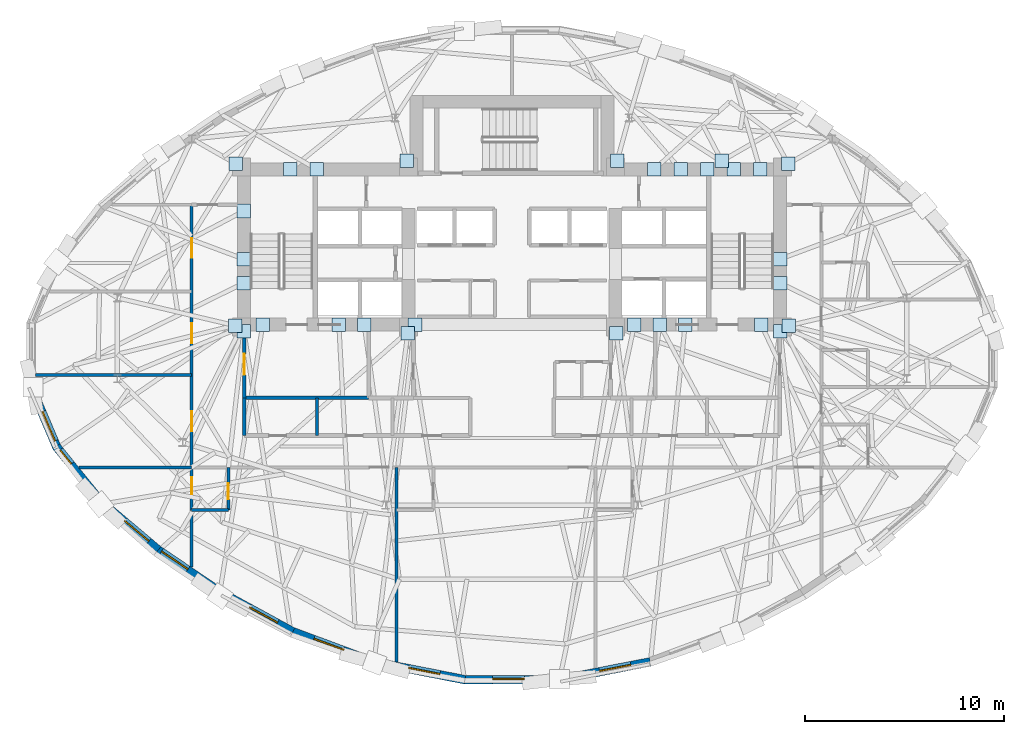
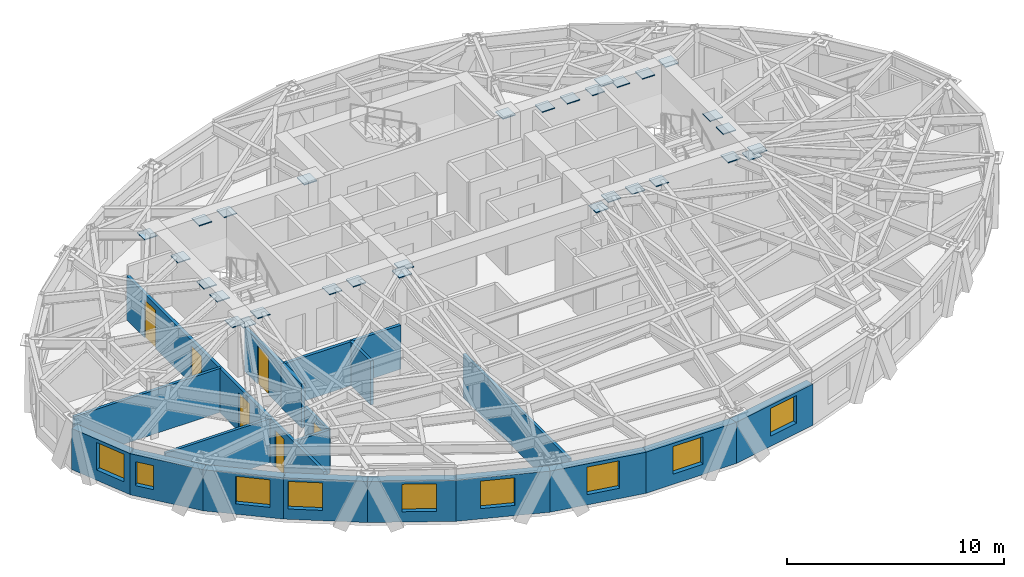
# One storey, part 5 of 14: 31 plates, 19 walls, 9 windows, 6 doors, 15 openings.
"""IFC4 building model written with IfcOpenShell, lengths in metres."""

import ifcopenshell
import ifcopenshell.guid

model = None  # the IFC model being written
_history = None  # IfcOwnerHistory: only IFC2X3 demands one
_inside = {}  # id of a spatial element -> (the spatial element, [elements in it])
_under = {}  # id of a project, library or spatial element -> (it, [spatial elements below it])
_declared = {}  # id of a project -> (the project, [libraries it declares])
_typed = {}  # id of a type object -> (the type object, [elements of that type])
_made_of = {}  # id of a material, layer set ... -> (it, [elements and type objects made of it])


def new_model(schema):
    """Start an empty IFC model of exactly this schema.

    Asked for "IFC4X3", IfcOpenShell would pick the latest addendum, in which some entities
    have other attributes; the version numbers below select the first issue.
    IFC2X3 requires an IfcOwnerHistory on every rooted entity: one is made here for all.
    """
    global model, _history
    if schema == "IFC4X3":
        model = ifcopenshell.file(schema_version=(4, 3, 0, 0))
    else:
        model = ifcopenshell.file(schema=schema)
    _inside.clear()
    _under.clear()
    _declared.clear()
    _typed.clear()
    _made_of.clear()
    _history = None
    if model.schema == "IFC2X3":
        org = make("IfcOrganization", Name="unknown")
        user = make(
            "IfcPersonAndOrganization",
            ThePerson=make("IfcPerson", FamilyName="unknown"),
            TheOrganization=org,
        )
        app = make(
            "IfcApplication",
            ApplicationDeveloper=org,
            Version="unknown",
            ApplicationFullName="unknown",
            ApplicationIdentifier="unknown",
        )
        _history = make(
            "IfcOwnerHistory",
            OwningUser=user,
            OwningApplication=app,
            ChangeAction="ADDED",
            CreationDate=0,
        )
    return model


def make(cls, **values):
    """One entity of the class cls with the attributes given. An attribute that is None is left unset."""
    return model.create_entity(
        cls, **{name: value for name, value in values.items() if value is not None}
    )


def rooted(cls, **values):
    """An entity with a GlobalId (a new one), such as an element, a storey or a relation."""
    return make(cls, GlobalId=ifcopenshell.guid.new(), OwnerHistory=_history, **values)


def si_unit(unit_type, name, prefix=None):
    """IfcSIUnit, for example si_unit("LENGTHUNIT", "METRE", prefix="MILLI")."""
    return make("IfcSIUnit", UnitType=unit_type, Prefix=prefix, Name=name)


def assignment(units):
    """IfcUnitAssignment: the units of a project."""
    return None if units is None else make("IfcUnitAssignment", Units=units)


def point(xyz):
    """IfcCartesianPoint."""
    return None if xyz is None else make("IfcCartesianPoint", Coordinates=xyz)


def direction(xyz):
    """IfcDirection."""
    return None if xyz is None else make("IfcDirection", DirectionRatios=xyz)


def frame(location, z_axis=None, x_axis=None):
    """IfcAxis2Placement3D, a coordinate frame: its origin and axes. An axis left out is left unset."""
    return make(
        "IfcAxis2Placement3D",
        Location=point(location),
        Axis=direction(z_axis),
        RefDirection=direction(x_axis),
    )


def frame_2d(location, x_axis=None):
    """IfcAxis2Placement2D, a coordinate frame in the plane: its origin and x axis."""
    return make(
        "IfcAxis2Placement2D", Location=point(location), RefDirection=direction(x_axis)
    )


def origin():
    """The frame at (0, 0, 0) with its axes left unset."""
    return frame((0.0, 0.0, 0.0))


def origin_2d():
    """The frame at (0, 0) in the plane with its x axis left unset."""
    return frame_2d((0.0, 0.0))


def place(relative_to, where):
    """IfcLocalPlacement: puts the frame where relative to a parent placement (None: the world)."""
    return make(
        "IfcLocalPlacement", PlacementRelTo=relative_to, RelativePlacement=where
    )


def context(
    kind, dimensions, precision=None, world=None, true_north=None, identifier=None
):
    """IfcGeometricRepresentationContext, for example the 3D "Model" context."""
    return make(
        "IfcGeometricRepresentationContext",
        ContextIdentifier=identifier,
        ContextType=kind,
        CoordinateSpaceDimension=dimensions,
        Precision=precision,
        WorldCoordinateSystem=world,
        TrueNorth=true_north,
    )


def subcontext(parent, identifier, kind, view, scale=None):
    """IfcGeometricRepresentationSubContext, for example "Body" below "Model"."""
    return make(
        "IfcGeometricRepresentationSubContext",
        ContextIdentifier=identifier,
        ContextType=kind,
        ParentContext=parent,
        TargetScale=scale,
        TargetView=view,
    )


def project(units=None, contexts=None):
    """IfcProject with its units and contexts."""
    return rooted(
        "IfcProject",
        Name="project",
        RepresentationContexts=contexts,
        UnitsInContext=assignment(units),
    )


def spatial(cls, under=None, at=None, **own):
    """A site, building, storey or space (cls), placed at a placement, below another one or the project."""
    s = rooted(cls, ObjectPlacement=at, **own)
    if under is not None:
        _under.setdefault(under.id(), (under, []))[1].append(s)
    return s


def profile(cls, at=None, kind="AREA", **sizes):
    """A parametric profile (cls). Its sizes go by their IFC names, for example OverallWidth=200.0."""
    return make(cls, ProfileType=kind, Position=at, **sizes)


def rectangle(**sizes):
    """IfcRectangleProfileDef."""
    return profile("IfcRectangleProfileDef", **sizes)


def extrude(swept, where, along, depth):
    """IfcExtrudedAreaSolid: the profile swept, set in the frame where, extruded along a direction by depth."""
    return make(
        "IfcExtrudedAreaSolid",
        SweptArea=swept,
        Position=where,
        ExtrudedDirection=direction(along),
        Depth=depth,
    )


def shape(context_of_items, identifier, shape_type, items):
    """IfcShapeRepresentation: the items that make up one representation, for example the "Body"."""
    return make(
        "IfcShapeRepresentation",
        ContextOfItems=context_of_items,
        RepresentationIdentifier=identifier,
        RepresentationType=shape_type,
        Items=items,
    )


def material(Name=None, Category=None):
    """IfcMaterial."""
    return make("IfcMaterial", Name=Name, Category=Category)


def layer(
    of_material, thickness, ventilated=None, Name=None, Category=None, Priority=None
):
    """IfcMaterialLayer: one layer of a wall or slab, of a material (None: an air gap)."""
    return make(
        "IfcMaterialLayer",
        Material=of_material,
        LayerThickness=thickness,
        IsVentilated=ventilated,
        Name=Name,
        Category=Category,
        Priority=Priority,
    )


def layer_set(layers, Name=None):
    """IfcMaterialLayerSet."""
    return make("IfcMaterialLayerSet", MaterialLayers=layers, LayerSetName=Name)


def made_of(thing, what):
    """Note that an element or type object is made of a material, layer set ...; save() writes the relation."""
    if what is not None:
        _made_of.setdefault(what.id(), (what, []))[1].append(thing)
    return thing


def type_object(cls, material=None, **own):
    """A type object (cls), such as IfcWallType, which elements share."""
    return made_of(rooted(cls, **own), material)


def element(
    cls,
    number,
    at=None,
    inside=None,
    cuts=None,
    type_object=None,
    material=None,
    context=None,
    identifier="Body",
    shape_type=None,
    held_by="IfcProductDefinitionShape",
    body=None,
    shapes=None,
    **own,
):
    """One element of the class cls, such as IfcWall. Its Tag is "e" and its number.

    at: its placement. inside: the storey or other place that contains it. cuts: it is an
    opening in that element (IfcRelVoidsElement). A single representation is given by context,
    identifier, shape_type and body (its items); several are given by shapes. held_by: the class
    of the entity that holds the representations. save() writes the other relations.
    """
    e = rooted(cls, Tag="e%d" % number, ObjectPlacement=at, **own)
    if body is not None:
        shapes = [shape(context, identifier, shape_type, body)]
    if shapes is not None:
        e.Representation = make(held_by, Representations=shapes)
    if inside is not None:
        _inside.setdefault(inside.id(), (inside, []))[1].append(e)
    if cuts is not None:
        rooted(
            "IfcRelVoidsElement", RelatingBuildingElement=cuts, RelatedOpeningElement=e
        )
    if type_object is not None:
        _typed.setdefault(type_object.id(), (type_object, []))[1].append(e)
    return made_of(e, material)


def fill(opening, filler):
    """IfcRelFillsElement: the door or window that sits in an opening."""
    return rooted(
        "IfcRelFillsElement",
        RelatingOpeningElement=opening,
        RelatedBuildingElement=filler,
    )


def aggregate(whole, parts):
    """IfcRelAggregates: a whole, such as a stair, and the parts it consists of."""
    return rooted("IfcRelAggregates", RelatingObject=whole, RelatedObjects=parts)


def save(model, path):
    """Write the relations noted so far, then the file.

    IfcRelAggregates (storeys below a building ...), IfcRelContainedInSpatialStructure (elements
    in a storey), IfcRelDefinesByType, IfcRelAssociatesMaterial and IfcRelDeclares: one each for
    every whole, place, type object, material and project.
    """
    for whole, parts in _under.values():
        aggregate(whole, parts)
    for where, things in _inside.values():
        rooted(
            "IfcRelContainedInSpatialStructure",
            RelatedElements=things,
            RelatingStructure=where,
        )
    for kind, things in _typed.values():
        rooted("IfcRelDefinesByType", RelatedObjects=things, RelatingType=kind)
    for what, things in _made_of.values():
        rooted("IfcRelAssociatesMaterial", RelatedObjects=things, RelatingMaterial=what)
    for by, libraries in _declared.values():
        rooted("IfcRelDeclares", RelatingContext=by, RelatedDefinitions=libraries)
    model.write(path)


model = new_model("IFC4")

# Units and contexts
model_context = context("Model", 3, precision=1e-05, world=origin(), true_north=direction((0.0, 1.0)))
body_context = subcontext(model_context, "Body", "Model", "MODEL_VIEW")
ifc_project = project(units=[si_unit("LENGTHUNIT", "METRE"), si_unit("AREAUNIT", "SQUARE_METRE"), si_unit("VOLUMEUNIT", "CUBIC_METRE"), si_unit("PLANEANGLEUNIT", "RADIAN"), si_unit("MASSUNIT", "GRAM", prefix="KILO")], contexts=[model_context])

# Site, building, storey
site_placement = place(None, origin())
site = spatial("IfcSite", under=ifc_project, at=site_placement, CompositionType="ELEMENT")
building_placement = place(site_placement, origin())
building = spatial("IfcBuilding", under=site, at=building_placement, Name="Keldmark Tower", CompositionType="ELEMENT")
storey_placement = place(building_placement, frame((0.0, 0.0, 191.800048828125)))
storey = spatial("IfcBuildingStorey", under=building, at=storey_placement, Name="L53", CompositionType="ELEMENT", Elevation=191.800048828125)

# Plates
ifc_material_1 = material(Name="Steel ASTM A572 Grade 50", Category="steel")
ifc_layer_1 = layer(ifc_material_1, 0.06005859375)
ifc_layer_set_1 = layer_set([ifc_layer_1], Name="Steel ASTM A572 Grade 50")
plate_type = type_object("IfcPlateType", Name="Belt Truss Kink Node Assembly KN01 60 mm", PredefinedType="USERDEFINED", material=ifc_layer_set_1)
for number, where, z_axis, x_axis, name in (
    (1, (13.91162109375, 1.473388671875, 2.72412109375), (0.0, 0.0, 1.0), (1.0, 0.0, 0.0), "L53 Core Wall Cast-In Embed Plate 1556"),
    (2, (13.878173828125, 9.608154296875, 2.72412109375), (0.0, 0.0, 1.0), (1.0, 0.0, 0.0), "L53 Core Wall Cast-In Embed Plate 1557"),
    (3, (5.28515625, 9.758544921875, 2.72412109375), (0.0, 0.0, 1.0), (1.0, 0.0, 0.0), "L53 Core Wall Cast-In Embed Plate 1558"),
    (4, (-5.28515625, 9.758544921875, 2.72412109375), (0.0, 0.0, 1.0), (1.0, 0.0, 0.0), "L53 Core Wall Cast-In Embed Plate 1559"),
    (5, (-13.878173828125, 9.608154296875, 2.72412109375), (0.0, 0.0, 1.0), (1.0, 0.0, 0.0), "L53 Core Wall Cast-In Embed Plate 1560"),
    (6, (-13.91162109375, 1.473388671875, 2.72412109375), (0.0, 0.0, 1.0), (1.0, 0.0, 0.0), "L53 Core Wall Cast-In Embed Plate 1561"),
    (7, (-5.24072265625, 1.08251953125, 2.72412109375), (0.0, 0.0, 1.0), (1.0, 0.0, 0.0), "L53 Core Wall Cast-In Embed Plate 1562"),
    (8, (5.24072265625, 1.08251953125, 2.72412109375), (0.0, 0.0, 1.0), (1.0, 0.0, 0.0), "L53 Core Wall Cast-In Embed Plate 1563"),
    (9, (-13.47509765625, 1.199951171875, 2.72412109375), (0.0, 0.0, 1.0), (1.0, 0.0, 0.0), "L53 Core Wall Cast-In Embed Plate 1564"),
    (10, (-7.425048828125, 1.52490234375, 2.72412109375), (0.0, 0.0, 1.0), (1.0, 0.0, 0.0), "L53 Core Wall Cast-In Embed Plate 1565"),
    (11, (7.425048828125, 1.52490234375, 2.72412109375), (0.0, 0.0, 1.0), (1.0, 0.0, 0.0), "L53 Core Wall Cast-In Embed Plate 1566"),
    (12, (13.47509765625, 1.199951171875, 2.72412109375), (0.0, 0.0, 1.0), (1.0, 0.0, 0.0), "L53 Core Wall Cast-In Embed Plate 1567"),
    (13, (-8.699951171875, 1.52490234375, 2.72412109375), (0.0, 0.0, 1.0), (1.0, 0.0, 0.0), "L53 Core Wall Cast-In Embed Plate 1568"),
    (14, (13.47509765625, 4.8212890625, 2.72412109375), (0.0, 0.0, 1.0), (1.0, 0.0, 0.0), "L53 Core Wall Cast-In Embed Plate 1569"),
    (15, (9.8037109375, 9.324951171875, 2.72412109375), (0.0, 0.0, 1.0), (1.0, 0.0, 0.0), "L53 Core Wall Cast-In Embed Plate 1570"),
    (16, (10.541015625, 9.75, 2.72412109375), (0.0, 0.0, 1.0), (1.0, 0.0, 0.0), "L53 Core Wall Cast-In Embed Plate 1571"),
    (17, (7.139404296875, 9.324951171875, 2.72412109375), (0.0, 0.0, 1.0), (1.0, 0.0, 0.0), "L53 Core Wall Cast-In Embed Plate 1572"),
    (18, (12.468017578125, 9.324951171875, 2.72412109375), (0.0, 0.0, 1.0), (1.0, 0.0, 0.0), "L53 Core Wall Cast-In Embed Plate 1573"),
    (19, (-9.8037109375, 9.324951171875, 2.72412109375), (0.0, 0.0, 1.0), (1.0, 0.0, 0.0), "L53 Core Wall Cast-In Embed Plate 1574"),
    (20, (-13.47509765625, 4.8212890625, 2.72412109375), (0.0, 0.0, 1.0), (1.0, 0.0, 0.0), "L53 Core Wall Cast-In Embed Plate 1575"),
    (21, (-13.47509765625, 7.235595703125, 2.72412109375), (0.0, 0.0, 1.0), (1.0, 0.0, 0.0), "L53 Core Wall Cast-In Embed Plate 1576"),
    (22, (-13.47509765625, 3.6142578125, 2.72412109375), (0.0, 0.0, 1.0), (1.0, 0.0, 0.0), "L53 Core Wall Cast-In Embed Plate 1577"),
    (23, (-12.52490234375, 1.52490234375, 2.72412109375), (0.0, 0.0, 1.0), (1.0, 0.0, 0.0), "L53 Core Wall Cast-In Embed Plate 1578"),
    (24, (-4.875, 1.52490234375, 2.72412109375), (0.0, 0.0, 1.0), (1.0, 0.0, 0.0), "L53 Core Wall Cast-In Embed Plate 1579"),
    (25, (6.14990234375, 1.52490234375, 2.72412109375), (0.0, 0.0, 1.0), (1.0, 0.0, 0.0), "L53 Core Wall Cast-In Embed Plate 1580"),
    (26, (8.699951171875, 1.52490234375, 2.72412109375), (0.0, 0.0, 1.0), (1.0, 0.0, 0.0), "L53 Core Wall Cast-In Embed Plate 1581"),
    (27, (12.52490234375, 1.52490234375, 2.72412109375), (0.0, 0.0, 1.0), (1.0, 0.0, 0.0), "L53 Core Wall Cast-In Embed Plate 1582"),
    (28, (13.47509765625, 3.6142578125, 2.72412109375), (0.0, 0.0, 1.0), (1.0, 0.0, 0.0), "L53 Core Wall Cast-In Embed Plate 1583"),
    (29, (11.1357421875, 9.324951171875, 2.72412109375), (0.0, 0.0, 1.0), (1.0, 0.0, 0.0), "L53 Core Wall Cast-In Embed Plate 1584"),
    (30, (8.471435546875, 9.324951171875, 2.72412109375), (0.0, 0.0, 1.0), (1.0, 0.0, 0.0), "L53 Core Wall Cast-In Embed Plate 1585"),
    (31, (-11.1357421875, 9.324951171875, 2.72412109375), (0.0, 0.0, 1.0), (1.0, 0.0, 0.0), "L53 Core Wall Cast-In Embed Plate 1586"),
):
    element("IfcPlate", number, at=place(storey_placement, frame(where, z_axis=z_axis, x_axis=x_axis)), inside=storey, type_object=plate_type, Name=name, ObjectType="CAP PLATE", PredefinedType="USERDEFINED", context=body_context, shape_type="SweptSolid", body=[
        extrude(rectangle(XDim=0.679931640625, YDim=0.679931640625, at=origin_2d()), origin(), (0.0, 0.0, 1.0), 0.054931640625),
    ])

# Walls
ifc_material_2 = material(Name="Heavy Acoustic Plumbing Chase Gypsum Assembly", Category="gypsum")
ifc_layer_2 = layer(ifc_material_2, 0.18994140625)
ifc_layer_set_2 = layer_set([ifc_layer_2], Name="Heavy Acoustic Plumbing Chase Gypsum Assembly")
wall_type_1 = type_object("IfcWallType", Name="Heavy Wet Wall 190 mm", PredefinedType="PLUMBINGWALL", material=ifc_layer_set_2)
wall_1_placement = place(storey_placement, frame((-13.449951171875, -4.050048828125, 0.0), z_axis=(0.0, 0.0, 1.0), x_axis=(0.0, 1.0, 0.0)))
element("IfcWall", 32, at=wall_1_placement, inside=storey, type_object=wall_type_1, Name="L53 Heavy Wet Wall 190 mm SPK-W-W", PredefinedType="PLUMBINGWALL", context=body_context, shape_type="SweptSolid", body=[
    extrude(rectangle(XDim=1.900146484375, YDim=0.18994140625, at=frame_2d((0.9501953125, 0.0))), origin(), (0.0, 0.0, 1.0), 2.472900390625),
])
ifc_material_3 = material(Name="Type X Fire-Rated Gypsum Partition Assembly", Category="gypsum")
ifc_layer_3 = layer(ifc_material_3, 0.1650390625)
ifc_layer_set_3 = layer_set([ifc_layer_3], Name="Type X Fire-Rated Gypsum Partition Assembly")
wall_type_2 = type_object("IfcWallType", Name="Rated Partition 165 mm", PredefinedType="PARTITIONING", material=ifc_layer_set_3)
wall_2_placement = place(storey_placement, frame((-13.449951171875, -2.14990234375, 0.0), z_axis=(0.0, 0.0, 1.0), x_axis=(1.0, 0.0, 0.0)))
element("IfcWall", 33, at=wall_2_placement, inside=storey, type_object=wall_type_2, Name="L53 Rated Partition 165 mm FSAE-W-S", PredefinedType="PARTITIONING", context=body_context, shape_type="SweptSolid", body=[
    extrude(rectangle(XDim=6.25, YDim=0.1650390625, at=frame_2d((3.125, 0.0))), origin(), (0.0, 0.0, 1.0), 2.472900390625),
])

# Wall, opening, door
wall_3_placement = place(storey_placement, frame((-13.449951171875, -2.14990234375, 0.0), z_axis=(0.0, 0.0, 1.0), x_axis=(0.0, 1.0, 0.0)))
wall_3 = element("IfcWall", 34, at=wall_3_placement, inside=storey, type_object=wall_type_2, Name="L53 Rated Partition 165 mm FSAE-W-W", PredefinedType="PARTITIONING", context=body_context, shape_type="SweptSolid", body=[
    extrude(rectangle(XDim=3.39990234375, YDim=0.1650390625, at=frame_2d((1.699951171875, 0.0))), origin(), (0.0, 0.0, 1.0), 2.472900390625),
])
opening_1_placement = place(wall_3_placement, frame((1.14990234375, 0.0, 0.0)))
opening_1 = element("IfcOpeningElement", 35, at=opening_1_placement, cuts=wall_3, Name="Opening D-FL105", PredefinedType="OPENING", context=body_context, shape_type="SweptSolid", body=[
    extrude(rectangle(XDim=1.050048828125, YDim=2.14990234375, at=frame_2d((0.52490234375, 1.074951171875))), frame((0.0, 0.092529296875, 0.0), z_axis=(0.0, -1.0, 0.0), x_axis=(1.0, 0.0, 0.0)), (0.0, 0.0, 1.0), 0.18505859375),
])
ifc_material_4 = material(Name="Fire-Rated Mineral-Core Door and Vision Lite", Category="metal")
door_type_1 = type_object("IfcDoorType", Name="Fire Lobby Door 1050x2150", OperationType="NOTDEFINED", PredefinedType="DOOR", material=ifc_material_4)
door_1_placement = place(opening_1_placement, origin())
door_1 = element("IfcDoor", 36, at=door_1_placement, inside=storey, type_object=door_type_1, Name="L53 Fire Lobby Door 1050x2150 D-FSAEW-OUT-L53", OperationType="SINGLE_SWING_LEFT", OverallHeight=2.14990234375, OverallWidth=1.050048828125, PredefinedType="DOOR", context=body_context, shape_type="SweptSolid", body=[
    extrude(rectangle(XDim=1.050048828125, YDim=2.14990234375, at=frame_2d((0.52490234375, 1.074951171875))), frame((0.0, 0.02490234375, 0.0), z_axis=(0.0, -1.0, 0.0), x_axis=(1.0, 0.0, 0.0)), (0.0, 0.0, 1.0), 0.050048828125),
])
fill(opening_1, door_1)

# Wall, openings, doors
wall_4_placement = place(storey_placement, frame((-16.10009765625, -10.663330078125, 0.0), z_axis=(0.0, 0.0, 1.0), x_axis=(0.0, 1.0, 0.0)))
wall_4 = element("IfcWall", 37, at=wall_4_placement, inside=storey, type_object=wall_type_2, Name="L53 Rated Partition 165 mm HCOR-W", PredefinedType="PARTITIONING", context=body_context, shape_type="SweptSolid", body=[
    extrude(rectangle(XDim=18.21337890625, YDim=0.1650390625, at=frame_2d((9.106689453125, 0.0))), origin(), (0.0, 0.0, 1.0), 2.472900390625),
])
opening_2_placement = place(wall_4_placement, frame((3.66357421875, 0.0, 0.0)))
opening_2 = element("IfcOpeningElement", 38, at=opening_2_placement, cuts=wall_4, Name="Opening D-IN085", PredefinedType="OPENING", context=body_context, shape_type="SweptSolid", body=[
    extrude(rectangle(XDim=0.85009765625, YDim=2.10009765625, at=frame_2d((0.425048828125, 1.050048828125))), frame((0.0, 0.092529296875, 0.0), z_axis=(0.0, -1.0, 0.0), x_axis=(1.0, 0.0, 0.0)), (0.0, 0.0, 1.0), 0.18505859375),
])
opening_3_placement = place(wall_4_placement, frame((6.838623046875, 0.0, 0.0)))
opening_3 = element("IfcOpeningElement", 39, at=opening_3_placement, cuts=wall_4, Name="Opening D-FD100", PredefinedType="OPENING", context=body_context, shape_type="SweptSolid", body=[
    extrude(rectangle(XDim=1.0, YDim=2.14990234375, at=frame_2d((0.5, 1.074951171875))), frame((0.0, 0.092529296875, 0.0), z_axis=(0.0, -1.0, 0.0), x_axis=(1.0, 0.0, 0.0)), (0.0, 0.0, 1.0), 0.18505859375),
])
opening_4_placement = place(wall_4_placement, frame((11.263671875, 0.0, 0.0)))
opening_4 = element("IfcOpeningElement", 40, at=opening_4_placement, cuts=wall_4, Name="Opening D-FD100", PredefinedType="OPENING", context=body_context, shape_type="SweptSolid", body=[
    extrude(rectangle(XDim=1.0, YDim=2.14990234375, at=frame_2d((0.5, 1.074951171875))), frame((0.0, 0.092529296875, 0.0), z_axis=(0.0, -1.0, 0.0), x_axis=(1.0, 0.0, 0.0)), (0.0, 0.0, 1.0), 0.18505859375),
])
opening_5_placement = place(wall_4_placement, frame((15.53857421875, 0.0, 0.0)))
opening_5 = element("IfcOpeningElement", 41, at=opening_5_placement, cuts=wall_4, Name="Opening D-FD100", PredefinedType="OPENING", context=body_context, shape_type="SweptSolid", body=[
    extrude(rectangle(XDim=1.0, YDim=2.14990234375, at=frame_2d((0.5, 1.074951171875))), frame((0.0, 0.092529296875, 0.0), z_axis=(0.0, -1.0, 0.0), x_axis=(1.0, 0.0, 0.0)), (0.0, 0.0, 1.0), 0.18505859375),
])
ifc_material_5 = material(Name="Hollow Metal Fire-Rated Corridor Door", Category="metal")
door_type_2 = type_object("IfcDoorType", Name="Fire Door 1000x2150", OperationType="NOTDEFINED", PredefinedType="DOOR", material=ifc_material_5)
door_2_placement = place(opening_3_placement, origin())
door_2 = element("IfcDoor", 42, at=door_2_placement, inside=storey, type_object=door_type_2, Name="L53 Fire Door 1000x2150 D-HWSP-1-L53", OperationType="SINGLE_SWING_RIGHT", OverallHeight=2.14990234375, OverallWidth=1.0, PredefinedType="DOOR", context=body_context, shape_type="SweptSolid", body=[
    extrude(rectangle(XDim=1.0, YDim=2.14990234375, at=frame_2d((0.5, 1.074951171875))), frame((0.0, 0.02490234375, 0.0), z_axis=(0.0, -1.0, 0.0), x_axis=(1.0, 0.0, 0.0)), (0.0, 0.0, 1.0), 0.050048828125),
])
fill(opening_3, door_2)
door_3_placement = place(opening_4_placement, origin())
door_3 = element("IfcDoor", 43, at=door_3_placement, inside=storey, type_object=door_type_2, Name="L53 Fire Door 1000x2150 D-HWSP-2-L53", OperationType="SINGLE_SWING_LEFT", OverallHeight=2.14990234375, OverallWidth=1.0, PredefinedType="DOOR", context=body_context, shape_type="SweptSolid", body=[
    extrude(rectangle(XDim=1.0, YDim=2.14990234375, at=frame_2d((0.5, 1.074951171875))), frame((0.0, 0.02490234375, 0.0), z_axis=(0.0, -1.0, 0.0), x_axis=(1.0, 0.0, 0.0)), (0.0, 0.0, 1.0), 0.050048828125),
])
fill(opening_4, door_3)
door_4_placement = place(opening_5_placement, origin())
door_4 = element("IfcDoor", 44, at=door_4_placement, inside=storey, type_object=door_type_2, Name="L53 Fire Door 1000x2150 D-HWSP-3-L53", OperationType="SINGLE_SWING_LEFT", OverallHeight=2.14990234375, OverallWidth=1.0, PredefinedType="DOOR", context=body_context, shape_type="SweptSolid", body=[
    extrude(rectangle(XDim=1.0, YDim=2.14990234375, at=frame_2d((0.5, 1.074951171875))), frame((0.0, 0.02490234375, 0.0), z_axis=(0.0, -1.0, 0.0), x_axis=(1.0, 0.0, 0.0)), (0.0, 0.0, 1.0), 0.050048828125),
])
fill(opening_5, door_4)
ifc_material_6 = material(Name="Painted Architectural Wood", Category="wood")
door_type_3 = type_object("IfcDoorType", Name="Interior Door 850x2100", OperationType="NOTDEFINED", PredefinedType="DOOR", material=ifc_material_6)
door_5_placement = place(opening_2_placement, origin())
door_5 = element("IfcDoor", 45, at=door_5_placement, inside=storey, type_object=door_type_3, Name="L53 Interior Door 850x2100 D-HKSW-L53", OperationType="SINGLE_SWING_LEFT", OverallHeight=2.10009765625, OverallWidth=0.85009765625, PredefinedType="DOOR", context=body_context, shape_type="SweptSolid", body=[
    extrude(rectangle(XDim=0.85009765625, YDim=2.10009765625, at=frame_2d((0.425048828125, 1.050048828125))), frame((0.0, 0.02490234375, 0.0), z_axis=(0.0, -1.0, 0.0), x_axis=(1.0, 0.0, 0.0)), (0.0, 0.0, 1.0), 0.050048828125),
])
fill(opening_2, door_5)

# Wall, opening, window
ifc_material_7 = material(Name="Ironspot Manganese Brick and Kasota Buff Limestone Spandrel Assembly", Category="masonry")
ifc_layer_4 = layer(ifc_material_7, 0.43994140625)
ifc_layer_set_4 = layer_set([ifc_layer_4], Name="Ironspot Manganese Brick and Kasota Buff Limestone Spandrel Assembly")
wall_type_3 = type_object("IfcWallType", Name="Tower Brick Pier and Spandrel Wall 440 mm", PredefinedType="STANDARD", material=ifc_layer_set_4)
wall_5_placement = place(storey_placement, frame((-22.865478515625, -4.657958984375, 0.0), z_axis=(0.0, 0.0, 1.0), x_axis=(-0.391568154721, 0.920149107595, 0.0)))
wall_5 = element("IfcWall", 46, at=wall_5_placement, inside=storey, type_object=wall_type_3, Name="L53 Exterior Brick and Spandrel Wall 17", PredefinedType="STANDARD", context=body_context, shape_type="SweptSolid", body=[
    extrude(rectangle(XDim=3.385498046875, YDim=0.43994140625, at=frame_2d((1.69287109375, 0.0))), origin(), (0.0, 0.0, 1.0), 2.31494140625),
])
opening_6_placement = place(wall_5_placement, frame((0.348388671875, 0.0, 0.580078125)))
opening_6 = element("IfcOpeningElement", 47, at=opening_6_placement, cuts=wall_5, Name="Opening W-04", PredefinedType="OPENING", context=body_context, shape_type="SweptSolid", body=[
    extrude(rectangle(XDim=1.60009765625, YDim=1.550048828125, at=frame_2d((0.800048828125, 0.77490234375))), frame((0.0, 0.22998046875, 0.0), z_axis=(0.0, -1.0, 0.0), x_axis=(1.0, 0.0, 0.0)), (0.0, 0.0, 1.0), 0.4599609375),
])
ifc_material_8 = material(Name="Thermally Broken Anodized Aluminum and Triple Low-E Argon Glazing", Category="aluminium")
window_type_1 = type_object("IfcWindowType", Name="Hotel Deep-Set Operable Window 1600x1550", PartitioningType="DOUBLE_PANEL_HORIZONTAL", PredefinedType="WINDOW", material=ifc_material_8)
window_1_placement = place(opening_6_placement, origin())
window_1 = element("IfcWindow", 48, at=window_1_placement, inside=storey, type_object=window_type_1, Name="L53 Deep-Set Window 17", OverallHeight=1.550048828125, OverallWidth=1.60009765625, PartitioningType="SINGLE_PANEL", PredefinedType="WINDOW", context=body_context, shape_type="SweptSolid", body=[
    extrude(rectangle(XDim=1.60009765625, YDim=1.550048828125, at=frame_2d((0.800048828125, 0.77490234375))), frame((0.0, -0.010009765625, 0.0), z_axis=(0.0, -1.0, 0.0), x_axis=(1.0, 0.0, 0.0)), (0.0, 0.0, 1.0), 0.06005859375),
])
fill(opening_6, window_1)

wall_6_placement = place(storey_placement, frame((-20.632080078125, -7.39990234375, 0.0), z_axis=(0.0, 0.0, 1.0), x_axis=(-0.629697919329, 0.776840093193, 0.0)))
wall_6 = element("IfcWall", 49, at=wall_6_placement, inside=storey, type_object=wall_type_3, Name="L53 Exterior Brick and Spandrel Wall 18", PredefinedType="STANDARD", context=body_context, shape_type="SweptSolid", body=[
    extrude(rectangle(XDim=3.59716796875, YDim=0.43994140625, at=frame_2d((1.798583984375, 0.0))), origin(), (0.0, 0.0, 1.0), 2.31494140625),
])
opening_7_placement = place(wall_6_placement, frame((2.447265625, 0.0, 0.580078125)))
opening_7 = element("IfcOpeningElement", 50, at=opening_7_placement, cuts=wall_6, Name="Opening W-09", PredefinedType="OPENING", context=body_context, shape_type="SweptSolid", body=[
    extrude(rectangle(XDim=0.89990234375, YDim=1.35009765625, at=frame_2d((0.449951171875, 0.675048828125))), frame((0.0, 0.22998046875, 0.0), z_axis=(0.0, -1.0, 0.0), x_axis=(1.0, 0.0, 0.0)), (0.0, 0.0, 1.0), 0.4599609375),
])
ifc_material_9 = material(Name="Thermally Broken Anodized Aluminum and Triple Low-E Argon Glazing", Category="aluminium")
window_type_2 = type_object("IfcWindowType", Name="Corner Pier Deep-Set Window 900x1350", PartitioningType="SINGLE_PANEL", PredefinedType="WINDOW", material=ifc_material_9)
window_2_placement = place(opening_7_placement, origin())
window_2 = element("IfcWindow", 51, at=window_2_placement, inside=storey, type_object=window_type_2, Name="L53 Deep-Set Window 18", OverallHeight=1.35009765625, OverallWidth=0.89990234375, PartitioningType="SINGLE_PANEL", PredefinedType="WINDOW", context=body_context, shape_type="SweptSolid", body=[
    extrude(rectangle(XDim=0.89990234375, YDim=1.35009765625, at=frame_2d((0.449951171875, 0.675048828125))), frame((0.0, -0.010009765625, 0.0), z_axis=(0.0, -1.0, 0.0), x_axis=(1.0, 0.0, 0.0)), (0.0, 0.0, 1.0), 0.06005859375),
])
fill(opening_7, window_2)

wall_7_placement = place(storey_placement, frame((-17.778564453125, -9.802490234375, 0.0), z_axis=(0.0, 0.0, 1.0), x_axis=(-0.764269547527, 0.644896936512, 0.0)))
wall_7 = element("IfcWall", 52, at=wall_7_placement, inside=storey, type_object=wall_type_3, Name="L53 Exterior Brick and Spandrel Wall 19", PredefinedType="STANDARD", context=body_context, shape_type="SweptSolid", body=[
    extrude(rectangle(XDim=3.771240234375, YDim=0.43994140625, at=frame_2d((1.8857421875, 0.0))), origin(), (0.0, 0.0, 1.0), 2.31494140625),
])
opening_8_placement = place(wall_7_placement, frame((0.642822265625, 0.0, 0.580078125)))
opening_8 = element("IfcOpeningElement", 53, at=opening_8_placement, cuts=wall_7, Name="Opening W-04", PredefinedType="OPENING", context=body_context, shape_type="SweptSolid", body=[
    extrude(rectangle(XDim=1.60009765625, YDim=1.550048828125, at=frame_2d((0.800048828125, 0.77490234375))), frame((0.0, 0.22998046875, 0.0), z_axis=(0.0, -1.0, 0.0), x_axis=(1.0, 0.0, 0.0)), (0.0, 0.0, 1.0), 0.4599609375),
])
window_3_placement = place(opening_8_placement, origin())
window_3 = element("IfcWindow", 54, at=window_3_placement, inside=storey, type_object=window_type_1, Name="L53 Deep-Set Window 19", OverallHeight=1.550048828125, OverallWidth=1.60009765625, PartitioningType="SINGLE_PANEL", PredefinedType="WINDOW", context=body_context, shape_type="SweptSolid", body=[
    extrude(rectangle(XDim=1.60009765625, YDim=1.550048828125, at=frame_2d((0.800048828125, 0.77490234375))), frame((0.0, -0.010009765625, 0.0), z_axis=(0.0, -1.0, 0.0), x_axis=(1.0, 0.0, 0.0)), (0.0, 0.0, 1.0), 0.06005859375),
])
fill(opening_8, window_3)

wall_8_placement = place(storey_placement, frame((-14.58349609375, -11.967041015625, 0.0), z_axis=(0.0, 0.0, 1.0), x_axis=(-0.827690675663, 0.561184591218, 0.0)))
wall_8 = element("IfcWall", 55, at=wall_8_placement, inside=storey, type_object=wall_type_3, Name="L53 Exterior Brick and Spandrel Wall 20", PredefinedType="STANDARD", context=body_context, shape_type="SweptSolid", body=[
    extrude(rectangle(XDim=3.88232421875, YDim=0.43994140625, at=frame_2d((1.941162109375, 0.0))), origin(), (0.0, 0.0, 1.0), 2.31494140625),
])
opening_9_placement = place(wall_8_placement, frame((2.08251953125, 0.0, 0.580078125)))
opening_9 = element("IfcOpeningElement", 56, at=opening_9_placement, cuts=wall_8, Name="Opening W-04", PredefinedType="OPENING", context=body_context, shape_type="SweptSolid", body=[
    extrude(rectangle(XDim=1.60009765625, YDim=1.550048828125, at=frame_2d((0.800048828125, 0.77490234375))), frame((0.0, 0.22998046875, 0.0), z_axis=(0.0, -1.0, 0.0), x_axis=(1.0, 0.0, 0.0)), (0.0, 0.0, 1.0), 0.4599609375),
])
window_4_placement = place(opening_9_placement, origin())
window_4 = element("IfcWindow", 57, at=window_4_placement, inside=storey, type_object=window_type_1, Name="L53 Deep-Set Window 20", OverallHeight=1.550048828125, OverallWidth=1.60009765625, PartitioningType="SINGLE_PANEL", PredefinedType="WINDOW", context=body_context, shape_type="SweptSolid", body=[
    extrude(rectangle(XDim=1.60009765625, YDim=1.550048828125, at=frame_2d((0.800048828125, 0.77490234375))), frame((0.0, -0.010009765625, 0.0), z_axis=(0.0, -1.0, 0.0), x_axis=(1.0, 0.0, 0.0)), (0.0, 0.0, 1.0), 0.06005859375),
])
fill(opening_9, window_4)

wall_9_placement = place(storey_placement, frame((-11.01416015625, -13.91015625, 0.0), z_axis=(0.0, 0.0, 1.0), x_axis=(-0.878158075839, 0.478370561217, 0.0)))
wall_9 = element("IfcWall", 58, at=wall_9_placement, inside=storey, type_object=wall_type_3, Name="L53 Exterior Brick and Spandrel Wall 21", PredefinedType="STANDARD", context=body_context, shape_type="SweptSolid", body=[
    extrude(rectangle(XDim=4.08544921875, YDim=0.43994140625, at=frame_2d((2.042724609375, 0.0))), origin(), (0.0, 0.0, 1.0), 2.31494140625),
])
opening_10_placement = place(wall_9_placement, frame((0.89501953125, 0.0, 0.580078125)))
opening_10 = element("IfcOpeningElement", 59, at=opening_10_placement, cuts=wall_9, Name="Opening W-04", PredefinedType="OPENING", context=body_context, shape_type="SweptSolid", body=[
    extrude(rectangle(XDim=1.60009765625, YDim=1.550048828125, at=frame_2d((0.800048828125, 0.77490234375))), frame((0.0, 0.22998046875, 0.0), z_axis=(0.0, -1.0, 0.0), x_axis=(1.0, 0.0, 0.0)), (0.0, 0.0, 1.0), 0.4599609375),
])
window_5_placement = place(opening_10_placement, origin())
window_5 = element("IfcWindow", 60, at=window_5_placement, inside=storey, type_object=window_type_1, Name="L53 Deep-Set Window 21", OverallHeight=1.550048828125, OverallWidth=1.60009765625, PartitioningType="SINGLE_PANEL", PredefinedType="WINDOW", context=body_context, shape_type="SweptSolid", body=[
    extrude(rectangle(XDim=1.60009765625, YDim=1.550048828125, at=frame_2d((0.800048828125, 0.77490234375))), frame((0.0, -0.010009765625, 0.0), z_axis=(0.0, -1.0, 0.0), x_axis=(1.0, 0.0, 0.0)), (0.0, 0.0, 1.0), 0.06005859375),
])
fill(opening_10, window_5)

wall_10_placement = place(storey_placement, frame((-6.9208984375, -15.4326171875, 0.0), z_axis=(0.0, 0.0, 1.0), x_axis=(-0.937088879832, 0.349090863953, 0.0)))
wall_10 = element("IfcWall", 61, at=wall_10_placement, inside=storey, type_object=wall_type_3, Name="L53 Exterior Brick and Spandrel Wall 22", PredefinedType="STANDARD", context=body_context, shape_type="SweptSolid", body=[
    extrude(rectangle(XDim=4.398193359375, YDim=0.43994140625, at=frame_2d((2.19921875, 0.0))), origin(), (0.0, 0.0, 1.0), 2.31494140625),
])
opening_11_placement = place(wall_10_placement, frame((1.649169921875, 0.0, 0.580078125)))
opening_11 = element("IfcOpeningElement", 62, at=opening_11_placement, cuts=wall_10, Name="Opening W-04", PredefinedType="OPENING", context=body_context, shape_type="SweptSolid", body=[
    extrude(rectangle(XDim=1.60009765625, YDim=1.550048828125, at=frame_2d((0.800048828125, 0.77490234375))), frame((0.0, 0.22998046875, 0.0), z_axis=(0.0, -1.0, 0.0), x_axis=(1.0, 0.0, 0.0)), (0.0, 0.0, 1.0), 0.4599609375),
])
window_6_placement = place(opening_11_placement, origin())
window_6 = element("IfcWindow", 63, at=window_6_placement, inside=storey, type_object=window_type_1, Name="L53 Deep-Set Window 22", OverallHeight=1.550048828125, OverallWidth=1.60009765625, PartitioningType="SINGLE_PANEL", PredefinedType="WINDOW", context=body_context, shape_type="SweptSolid", body=[
    extrude(rectangle(XDim=1.60009765625, YDim=1.550048828125, at=frame_2d((0.800048828125, 0.77490234375))), frame((0.0, -0.010009765625, 0.0), z_axis=(0.0, -1.0, 0.0), x_axis=(1.0, 0.0, 0.0)), (0.0, 0.0, 1.0), 0.06005859375),
])
fill(opening_11, window_6)

wall_11_placement = place(storey_placement, frame((-2.3603515625, -16.32177734375, 0.0), z_axis=(0.0, 0.0, 1.0), x_axis=(-0.981406109785, 0.191942823979, 0.0)))
wall_11 = element("IfcWall", 64, at=wall_11_placement, inside=storey, type_object=wall_type_3, Name="L53 Exterior Brick and Spandrel Wall 23", PredefinedType="STANDARD", context=body_context, shape_type="SweptSolid", body=[
    extrude(rectangle(XDim=4.68212890625, YDim=0.43994140625, at=frame_2d((2.341064453125, 0.0))), origin(), (0.0, 0.0, 1.0), 2.31494140625),
])
opening_12_placement = place(wall_11_placement, frame((1.292724609375, 0.0, 0.580078125)))
opening_12 = element("IfcOpeningElement", 65, at=opening_12_placement, cuts=wall_11, Name="Opening W-04", PredefinedType="OPENING", context=body_context, shape_type="SweptSolid", body=[
    extrude(rectangle(XDim=1.60009765625, YDim=1.550048828125, at=frame_2d((0.800048828125, 0.77490234375))), frame((0.0, 0.22998046875, 0.0), z_axis=(0.0, -1.0, 0.0), x_axis=(1.0, 0.0, 0.0)), (0.0, 0.0, 1.0), 0.4599609375),
])
window_7_placement = place(opening_12_placement, origin())
window_7 = element("IfcWindow", 66, at=window_7_placement, inside=storey, type_object=window_type_1, Name="L53 Deep-Set Window 23", OverallHeight=1.550048828125, OverallWidth=1.60009765625, PartitioningType="SINGLE_PANEL", PredefinedType="WINDOW", context=body_context, shape_type="SweptSolid", body=[
    extrude(rectangle(XDim=1.60009765625, YDim=1.550048828125, at=frame_2d((0.800048828125, 0.77490234375))), frame((0.0, -0.010009765625, 0.0), z_axis=(0.0, -1.0, 0.0), x_axis=(1.0, 0.0, 0.0)), (0.0, 0.0, 1.0), 0.06005859375),
])
fill(opening_12, window_7)

wall_12_placement = place(storey_placement, frame((2.402587890625, -16.317626953125, 0.0), z_axis=(0.0, 0.0, 1.0), x_axis=(-1.0, 0.0, 0.0)))
wall_12 = element("IfcWall", 67, at=wall_12_placement, inside=storey, type_object=wall_type_3, Name="L53 Exterior Brick and Spandrel Wall 24", PredefinedType="STANDARD", context=body_context, shape_type="SweptSolid", body=[
    extrude(rectangle(XDim=4.80517578125, YDim=0.43994140625, at=frame_2d((2.402587890625, 0.0))), origin(), (0.0, 0.0, 1.0), 2.31494140625),
])
opening_13_placement = place(wall_12_placement, frame((1.77490234375, 0.0, 0.580078125)))
opening_13 = element("IfcOpeningElement", 68, at=opening_13_placement, cuts=wall_12, Name="Opening W-04", PredefinedType="OPENING", context=body_context, shape_type="SweptSolid", body=[
    extrude(rectangle(XDim=1.60009765625, YDim=1.550048828125, at=frame_2d((0.800048828125, 0.77490234375))), frame((0.0, 0.22998046875, 0.0), z_axis=(0.0, -1.0, 0.0), x_axis=(1.0, 0.0, 0.0)), (0.0, 0.0, 1.0), 0.4599609375),
])
window_8_placement = place(opening_13_placement, origin())
window_8 = element("IfcWindow", 69, at=window_8_placement, inside=storey, type_object=window_type_1, Name="L53 Deep-Set Window 24", OverallHeight=1.550048828125, OverallWidth=1.60009765625, PartitioningType="SINGLE_PANEL", PredefinedType="WINDOW", context=body_context, shape_type="SweptSolid", body=[
    extrude(rectangle(XDim=1.60009765625, YDim=1.550048828125, at=frame_2d((0.800048828125, 0.77490234375))), frame((0.0, -0.010009765625, 0.0), z_axis=(0.0, -1.0, 0.0), x_axis=(1.0, 0.0, 0.0)), (0.0, 0.0, 1.0), 0.06005859375),
])
fill(opening_13, window_8)

wall_13_placement = place(storey_placement, frame((6.955322265625, -15.423095703125, 0.0), z_axis=(0.0, 0.0, 1.0), x_axis=(-0.981406109785, -0.191942823979, 0.0)))
wall_13 = element("IfcWall", 70, at=wall_13_placement, inside=storey, type_object=wall_type_3, Name="L53 Exterior Brick and Spandrel Wall 25", PredefinedType="STANDARD", context=body_context, shape_type="SweptSolid", body=[
    extrude(rectangle(XDim=4.68212890625, YDim=0.43994140625, at=frame_2d((2.341064453125, 0.0))), origin(), (0.0, 0.0, 1.0), 2.31494140625),
])
opening_14_placement = place(wall_13_placement, frame((0.99462890625, 0.0, 0.580078125)))
opening_14 = element("IfcOpeningElement", 71, at=opening_14_placement, cuts=wall_13, Name="Opening W-04", PredefinedType="OPENING", context=body_context, shape_type="SweptSolid", body=[
    extrude(rectangle(XDim=1.60009765625, YDim=1.550048828125, at=frame_2d((0.800048828125, 0.77490234375))), frame((0.0, 0.22998046875, 0.0), z_axis=(0.0, -1.0, 0.0), x_axis=(1.0, 0.0, 0.0)), (0.0, 0.0, 1.0), 0.4599609375),
])
window_9_placement = place(opening_14_placement, origin())
window_9 = element("IfcWindow", 72, at=window_9_placement, inside=storey, type_object=window_type_1, Name="L53 Deep-Set Window 25", OverallHeight=1.550048828125, OverallWidth=1.60009765625, PartitioningType="SINGLE_PANEL", PredefinedType="WINDOW", context=body_context, shape_type="SweptSolid", body=[
    extrude(rectangle(XDim=1.60009765625, YDim=1.550048828125, at=frame_2d((0.800048828125, 0.77490234375))), frame((0.0, -0.010009765625, 0.0), z_axis=(0.0, -1.0, 0.0), x_axis=(1.0, 0.0, 0.0)), (0.0, 0.0, 1.0), 0.06005859375),
])
fill(opening_14, window_9)

# Walls
ifc_material_10 = material(Name="Moisture-Resistant Gypsum Plumbing Partition", Category="gypsum")
ifc_layer_5 = layer(ifc_material_10, 0.14990234375)
ifc_layer_set_5 = layer_set([ifc_layer_5], Name="Moisture-Resistant Gypsum Plumbing Partition")
wall_type_4 = type_object("IfcWallType", Name="Wet Wall 150 mm", PredefinedType="PLUMBINGWALL", material=ifc_layer_set_5)
wall_14_placement = place(storey_placement, frame((-9.800048828125, -4.050048828125, 0.0), z_axis=(0.0, 0.0, 1.0), x_axis=(0.0, 1.0, 0.0)))
element("IfcWall", 73, at=wall_14_placement, inside=storey, type_object=wall_type_4, Name="L53 Wet Wall 150 mm SPK-W-D1", PredefinedType="PLUMBINGWALL", context=body_context, shape_type="SweptSolid", body=[
    extrude(rectangle(XDim=1.900146484375, YDim=0.14990234375, at=frame_2d((0.9501953125, 0.0))), origin(), (0.0, 0.0, 1.0), 2.472900390625),
])
wall_15_placement = place(storey_placement, frame((-21.7568359375, -5.64990234375, 0.0), z_axis=(0.0, 0.0, 1.0), x_axis=(1.0, 0.0, 0.0)))
element("IfcWall", 74, at=wall_15_placement, inside=storey, type_object=wall_type_4, Name="L53 Wet Wall 150 mm HW-CAP-S", PredefinedType="PLUMBINGWALL", context=body_context, shape_type="SweptSolid", body=[
    extrude(rectangle(XDim=5.65673828125, YDim=0.14990234375, at=frame_2d((2.828369140625, 0.0))), origin(), (0.0, 0.0, 1.0), 2.472900390625),
])
wall_16_placement = place(storey_placement, frame((-5.800048828125, -15.416748046875, 0.0), z_axis=(0.0, 0.0, 1.0), x_axis=(0.0, 1.0, 0.0)))
element("IfcWall", 75, at=wall_16_placement, inside=storey, type_object=wall_type_4, Name="L53 Wet Wall 150 mm HS-DIV-1", PredefinedType="PLUMBINGWALL", context=body_context, shape_type="SweptSolid", body=[
    extrude(rectangle(XDim=9.766845703125, YDim=0.14990234375, at=frame_2d((4.88330078125, 0.0))), origin(), (0.0, 0.0, 1.0), 2.472900390625),
])

# Wall, opening, door
wall_17_placement = place(storey_placement, frame((-14.25, -7.800048828125, 0.0), z_axis=(0.0, 0.0, 1.0), x_axis=(0.0, 1.0, 0.0)))
wall_17 = element("IfcWall", 76, at=wall_17_placement, inside=storey, type_object=wall_type_4, Name="L53 Wet Wall 150 mm HB-S1-E", PredefinedType="PLUMBINGWALL", context=body_context, shape_type="SweptSolid", body=[
    extrude(rectangle(XDim=2.150146484375, YDim=0.14990234375, at=frame_2d((1.0751953125, 0.0))), origin(), (0.0, 0.0, 1.0), 2.472900390625),
])
opening_15_placement = place(wall_17_placement, frame((0.550048828125, 0.0, 0.0)))
opening_15 = element("IfcOpeningElement", 77, at=opening_15_placement, cuts=wall_17, Name="Opening D-BT080", PredefinedType="OPENING", context=body_context, shape_type="SweptSolid", body=[
    extrude(rectangle(XDim=0.800048828125, YDim=2.10009765625, at=frame_2d((0.39990234375, 1.050048828125))), frame((0.0, 0.0849609375, 0.0), z_axis=(0.0, -1.0, 0.0), x_axis=(1.0, 0.0, 0.0)), (0.0, 0.0, 1.0), 0.169921875),
])
ifc_material_11 = material(Name="Moisture-Sealed Stained Wood", Category="wood")
door_type_4 = type_object("IfcDoorType", Name="Bathroom Door 800x2100", OperationType="NOTDEFINED", PredefinedType="DOOR", material=ifc_material_11)
door_6_placement = place(opening_15_placement, origin())
door_6 = element("IfcDoor", 78, at=door_6_placement, inside=storey, type_object=door_type_4, Name="L53 Bathroom Door 800x2100 D-HBS1-L53", OperationType="SINGLE_SWING_RIGHT", OverallHeight=2.10009765625, OverallWidth=0.800048828125, PredefinedType="DOOR", context=body_context, shape_type="SweptSolid", body=[
    extrude(rectangle(XDim=0.800048828125, YDim=2.10009765625, at=frame_2d((0.39990234375, 1.050048828125))), frame((0.0, 0.02490234375, 0.0), z_axis=(0.0, -1.0, 0.0), x_axis=(1.0, 0.0, 0.0)), (0.0, 0.0, 1.0), 0.050048828125),
])
fill(opening_15, door_6)

# Walls
wall_18_placement = place(storey_placement, frame((-16.10009765625, -7.800048828125, 0.0), z_axis=(0.0, 0.0, 1.0), x_axis=(1.0, 0.0, 0.0)))
element("IfcWall", 79, at=wall_18_placement, inside=storey, type_object=wall_type_4, Name="L53 Wet Wall 150 mm HB-S1-S", PredefinedType="PLUMBINGWALL", context=body_context, shape_type="SweptSolid", body=[
    extrude(rectangle(XDim=1.85009765625, YDim=0.14990234375, at=frame_2d((0.925048828125, 0.0))), origin(), (0.0, 0.0, 1.0), 2.472900390625),
])
wall_19_placement = place(storey_placement, frame((-23.945556640625, -1.0, 0.0), z_axis=(0.0, 0.0, 1.0), x_axis=(1.0, 0.0, 0.0)))
element("IfcWall", 80, at=wall_19_placement, inside=storey, type_object=wall_type_4, Name="L53 Wet Wall 150 mm HW-DIV-1", PredefinedType="PLUMBINGWALL", context=body_context, shape_type="SweptSolid", body=[
    extrude(rectangle(XDim=7.845458984375, YDim=0.14990234375, at=frame_2d((3.9228515625, 0.0))), origin(), (0.0, 0.0, 1.0), 2.472900390625),
])

save(model, "model.ifc")
